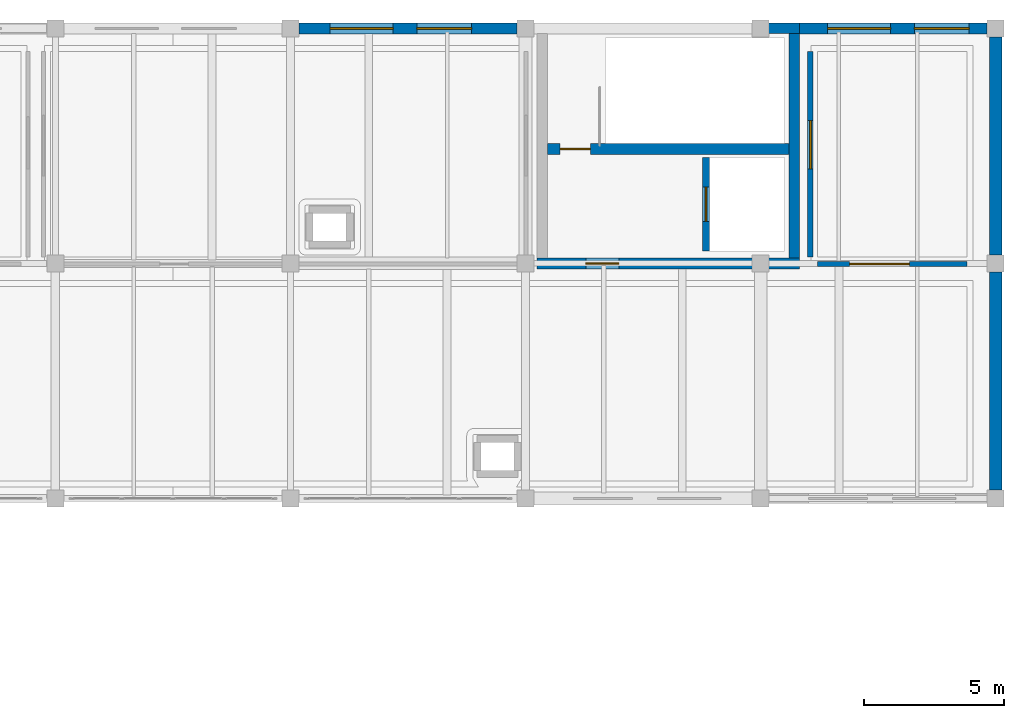
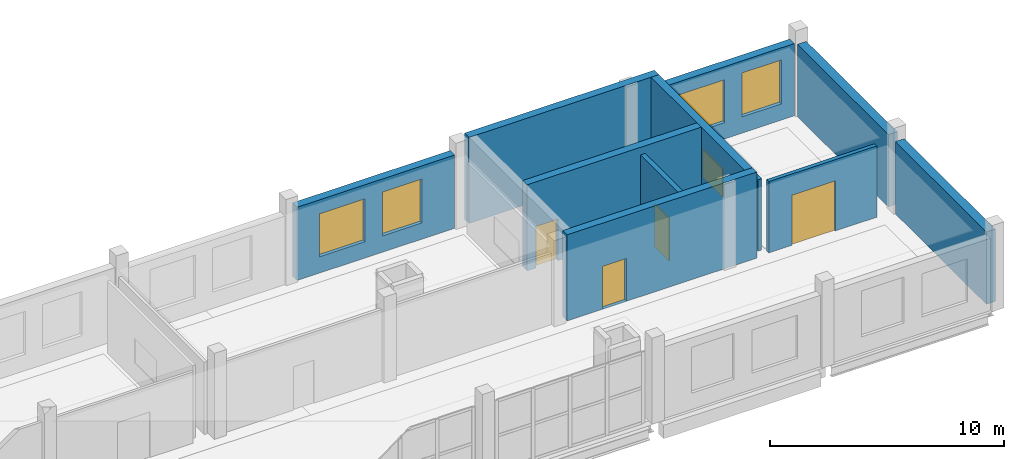
# One storey, part 52 of 54: 11 walls, 5 windows, 4 doors, 9 openings.
"""IFC4 building model written with IfcOpenShell, lengths in metres."""

from ifc_helpers import new_model, si_unit, direction, frame, frame_2d, origin, place, context, subcontext, project, spatial, rectangle, extrude, material, layer, layer_set, type_object, element, fill, save


model = new_model("IFC4")

# Units and contexts
model_context = context("Model", 3, precision=1e-05, world=origin(), true_north=direction((0.0, 1.0)))
body_context = subcontext(model_context, "Body", "Model", "MODEL_VIEW")
ifc_project = project(units=[si_unit("LENGTHUNIT", "METRE"), si_unit("AREAUNIT", "SQUARE_METRE"), si_unit("VOLUMEUNIT", "CUBIC_METRE"), si_unit("PLANEANGLEUNIT", "RADIAN"), si_unit("MASSUNIT", "GRAM", prefix="KILO")], contexts=[model_context])

# Site, building, storey
site_placement = place(None, origin())
site = spatial("IfcSite", under=ifc_project, at=site_placement, CompositionType="ELEMENT")
building_placement = place(site_placement, origin())
building = spatial("IfcBuilding", under=site, at=building_placement, Name="Zulmaris Art Gallery", CompositionType="ELEMENT")
storey_placement = place(building_placement, frame((0.0, 0.0, 26.39990234375)))
storey = spatial("IfcBuildingStorey", under=building, at=storey_placement, Name="L05", CompositionType="ELEMENT", Elevation=26.39990234375)

# Walls
ifc_material_1 = material(Name="Omani Cream Limestone Ashlar Masonry", Category="masonry")
ifc_layer_1 = layer(ifc_material_1, 0.43994140625)
ifc_layer_set_1 = layer_set([ifc_layer_1], Name="Omani Cream Limestone Ashlar Masonry")
wall_type_1 = type_object("IfcWallType", Name="ENV-WALL-EW01", PredefinedType="SOLIDWALL", material=ifc_layer_set_1)
wall_1_placement = place(storey_placement, frame((200.39990234375, 59.10205078125, 0.0), z_axis=(0.0, 0.0, 1.0), x_axis=(0.0, 1.0, 0.0)))
element("IfcWall", 1, at=wall_1_placement, inside=storey, type_object=wall_type_1, Name="L05 V5 East Infill Party Wall", PredefinedType="SOLIDWALL", context=body_context, shape_type="SweptSolid", body=[
    extrude(rectangle(XDim=7.7958984375, YDim=0.43994140625, at=frame_2d((3.89794921875, 0.0))), origin(), (0.0, 0.0, 1.0), 3.780029296875),
])
wall_2_placement = place(storey_placement, frame((200.39990234375, 67.501953125, 0.0), z_axis=(0.0, 0.0, 1.0), x_axis=(0.0, 1.0, 0.0)))
element("IfcWall", 2, at=wall_2_placement, inside=storey, type_object=wall_type_1, Name="L05 V5 East Infill Party Wall", PredefinedType="SOLIDWALL", context=body_context, shape_type="SweptSolid", body=[
    extrude(rectangle(XDim=7.796142578125, YDim=0.43994140625, at=frame_2d((3.89794921875, 0.0))), origin(), (0.0, 0.0, 1.0), 3.780029296875),
])

# Wall, openings, windows
ifc_material_2 = material(Name="Omani Desert Rose Limestone Cladding Wall", Category="masonry")
ifc_layer_2 = layer(ifc_material_2, 0.389892578125)
ifc_layer_set_2 = layer_set([ifc_layer_2], Name="Omani Desert Rose Limestone Cladding Wall")
wall_type_2 = type_object("IfcWallType", Name="ENV-WALL-EW02", PredefinedType="SOLIDWALL", material=ifc_layer_set_2)
wall_3_placement = place(storey_placement, frame((175.501953125, 75.60009765625, 0.0), z_axis=(0.0, 0.0, 1.0), x_axis=(1.0, 0.0, 0.0)))
wall_3 = element("IfcWall", 3, at=wall_3_placement, inside=storey, type_object=wall_type_2, Name="L05 V5 North Studio Daylight Facade Bay 5", PredefinedType="SOLIDWALL", context=body_context, shape_type="SweptSolid", body=[
    extrude(rectangle(XDim=7.796142578125, YDim=0.389892578125, at=frame_2d((3.89794921875, 0.0))), origin(), (0.0, 0.0, 1.0), 3.830078125),
])
opening_1_placement = place(wall_3_placement, frame((1.117919921875, 0.0, 0.85009765625)))
opening_1 = element("IfcOpeningElement", 4, at=opening_1_placement, cuts=wall_3, Name="Opening W09", PredefinedType="OPENING", context=body_context, shape_type="SweptSolid", body=[
    extrude(rectangle(XDim=2.25, YDim=2.25, at=frame_2d((1.125, 1.125))), frame((0.0, 0.204833984375, 0.0), z_axis=(0.0, -1.0, 0.0), x_axis=(1.0, 0.0, 0.0)), (0.0, 0.0, 1.0), 0.409912109375),
])
opening_2_placement = place(wall_3_placement, frame((4.218017578125, 0.0, 0.85009765625)))
opening_2 = element("IfcOpeningElement", 5, at=opening_2_placement, cuts=wall_3, Name="Opening W08", PredefinedType="OPENING", context=body_context, shape_type="SweptSolid", body=[
    extrude(rectangle(XDim=1.949951171875, YDim=2.300048828125, at=frame_2d((0.97509765625, 1.14990234375))), frame((0.0, 0.204833984375, 0.0), z_axis=(0.0, -1.0, 0.0), x_axis=(1.0, 0.0, 0.0)), (0.0, 0.0, 1.0), 0.409912109375),
])
ifc_material_3 = material(Name="Curatorial North Studio Window", Category="glass")
window_type_1 = type_object("IfcWindowType", Name="WIN-W08", PartitioningType="SINGLE_PANEL", PredefinedType="WINDOW", material=ifc_material_3)
window_1_placement = place(opening_2_placement, origin())
window_1 = element("IfcWindow", 6, at=window_1_placement, inside=storey, type_object=window_type_1, Name="L05 exterior window W08", OverallHeight=2.300048828125, OverallWidth=1.949951171875, PartitioningType="SINGLE_PANEL", PredefinedType="WINDOW", context=body_context, shape_type="SweptSolid", body=[
    extrude(rectangle(XDim=1.949951171875, YDim=2.300048828125, at=frame_2d((0.97509765625, 1.14990234375))), frame((0.0, 0.030029296875, 0.0), z_axis=(0.0, -1.0, 0.0), x_axis=(1.0, 0.0, 0.0)), (0.0, 0.0, 1.0), 0.06005859375),
])
fill(opening_2, window_1)
ifc_material_4 = material(Name="Fellowship Library Daylight Window", Category="glass")
window_type_2 = type_object("IfcWindowType", Name="WIN-W09", PartitioningType="SINGLE_PANEL", PredefinedType="WINDOW", material=ifc_material_4)
window_2_placement = place(opening_1_placement, origin())
window_2 = element("IfcWindow", 7, at=window_2_placement, inside=storey, type_object=window_type_2, Name="L05 exterior window W09", OverallHeight=2.25, OverallWidth=2.25, PartitioningType="SINGLE_PANEL", PredefinedType="WINDOW", context=body_context, shape_type="SweptSolid", body=[
    extrude(rectangle(XDim=2.25, YDim=2.25, at=frame_2d((1.125, 1.125))), frame((0.0, 0.030029296875, 0.0), z_axis=(0.0, -1.0, 0.0), x_axis=(1.0, 0.0, 0.0)), (0.0, 0.0, 1.0), 0.06005859375),
])
fill(opening_1, window_2)

wall_4_placement = place(storey_placement, frame((193.39208984375, 75.60009765625, 0.0), z_axis=(0.0, 0.0, 1.0), x_axis=(1.0, 0.0, 0.0)))
wall_4 = element("IfcWall", 8, at=wall_4_placement, inside=storey, type_object=wall_type_2, Name="L05 V5 North Studio Daylight Facade Bay 7", PredefinedType="SOLIDWALL", context=body_context, shape_type="SweptSolid", body=[
    extrude(rectangle(XDim=6.705810546875, YDim=0.389892578125, at=frame_2d((3.35302734375, 0.0))), origin(), (0.0, 0.0, 1.0), 3.780029296875),
])
opening_3_placement = place(wall_4_placement, frame((1.008056640625, 0.0, 0.85009765625)))
opening_3 = element("IfcOpeningElement", 9, at=opening_3_placement, cuts=wall_4, Name="Opening W09", PredefinedType="OPENING", context=body_context, shape_type="SweptSolid", body=[
    extrude(rectangle(XDim=2.25, YDim=2.25, at=frame_2d((1.125, 1.125))), frame((0.0, 0.204833984375, 0.0), z_axis=(0.0, -1.0, 0.0), x_axis=(1.0, 0.0, 0.0)), (0.0, 0.0, 1.0), 0.409912109375),
])
opening_4_placement = place(wall_4_placement, frame((4.10791015625, 0.0, 0.85009765625)))
opening_4 = element("IfcOpeningElement", 10, at=opening_4_placement, cuts=wall_4, Name="Opening W08", PredefinedType="OPENING", context=body_context, shape_type="SweptSolid", body=[
    extrude(rectangle(XDim=1.949951171875, YDim=2.300048828125, at=frame_2d((0.97509765625, 1.14990234375))), frame((0.0, 0.204833984375, 0.0), z_axis=(0.0, -1.0, 0.0), x_axis=(1.0, 0.0, 0.0)), (0.0, 0.0, 1.0), 0.409912109375),
])
window_3_placement = place(opening_4_placement, origin())
window_3 = element("IfcWindow", 11, at=window_3_placement, inside=storey, type_object=window_type_1, Name="L05 exterior window W08", OverallHeight=2.300048828125, OverallWidth=1.949951171875, PartitioningType="SINGLE_PANEL", PredefinedType="WINDOW", context=body_context, shape_type="SweptSolid", body=[
    extrude(rectangle(XDim=1.949951171875, YDim=2.300048828125, at=frame_2d((0.97509765625, 1.14990234375))), frame((0.0, 0.030029296875, 0.0), z_axis=(0.0, -1.0, 0.0), x_axis=(1.0, 0.0, 0.0)), (0.0, 0.0, 1.0), 0.06005859375),
])
fill(opening_4, window_3)
window_4_placement = place(opening_3_placement, origin())
window_4 = element("IfcWindow", 12, at=window_4_placement, inside=storey, type_object=window_type_2, Name="L05 exterior window W09", OverallHeight=2.25, OverallWidth=2.25, PartitioningType="SINGLE_PANEL", PredefinedType="WINDOW", context=body_context, shape_type="SweptSolid", body=[
    extrude(rectangle(XDim=2.25, YDim=2.25, at=frame_2d((1.125, 1.125))), frame((0.0, 0.030029296875, 0.0), z_axis=(0.0, -1.0, 0.0), x_axis=(1.0, 0.0, 0.0)), (0.0, 0.0, 1.0), 0.06005859375),
])
fill(opening_3, window_4)

# Wall, opening, door
ifc_material_5 = material(Name="Conservation Laboratory Partition", Category="masonry")
ifc_layer_3 = layer(ifc_material_5, 0.18994140625)
ifc_layer_set_3 = layer_set([ifc_layer_3], Name="Conservation Laboratory Partition")
wall_type_3 = type_object("IfcWallType", Name="IWALL-PW07", PredefinedType="PARTITIONING", material=ifc_layer_set_3)
wall_5_placement = place(storey_placement, frame((194.030029296875, 67.179931640625, 0.0), z_axis=(0.0, 0.0, 1.0), x_axis=(1.0, 0.0, 0.0)))
wall_5 = element("IfcWall", 13, at=wall_5_placement, inside=storey, type_object=wall_type_3, Name="Artists' Common Kitchen & Dining Room S partition", PredefinedType="PARTITIONING", context=body_context, shape_type="SweptSolid", body=[
    extrude(rectangle(XDim=5.340087890625, YDim=0.18994140625, at=frame_2d((2.669921875, 0.0))), origin(), (0.0, 0.0, 1.0), 3.72998046875),
])
opening_5_placement = place(wall_5_placement, frame((1.14990234375, 0.0, 0.0)))
opening_5 = element("IfcOpeningElement", 14, at=opening_5_placement, cuts=wall_5, Name="Opening D26", PredefinedType="OPENING", context=body_context, shape_type="SweptSolid", body=[
    extrude(rectangle(XDim=2.139892578125, YDim=2.6201171875, at=frame_2d((1.06982421875, 1.31005859375))), frame((0.0, 0.10498046875, 0.0), z_axis=(0.0, -1.0, 0.0), x_axis=(1.0, 0.0, 0.0)), (0.0, 0.0, 1.0), 0.2099609375),
])
ifc_material_6 = material(Name="Cloister Pavilion Portal Door", Category="aluminium")
door_type_1 = type_object("IfcDoorType", Name="IDOOR-D26", OperationType="DOUBLE_SWING_RIGHT", PredefinedType="DOOR", material=ifc_material_6)
door_1_placement = place(opening_5_placement, origin())
door_1 = element("IfcDoor", 15, at=door_1_placement, inside=storey, type_object=door_type_1, Name="Artists' Common Kitchen & Dining Room Door", OperationType="DOUBLE_SWING_RIGHT", OverallHeight=2.6201171875, OverallWidth=2.139892578125, PredefinedType="DOOR", context=body_context, shape_type="SweptSolid", body=[
    extrude(rectangle(XDim=2.139892578125, YDim=2.6201171875, at=frame_2d((1.06982421875, 1.31005859375))), frame((0.0, 0.02490234375, 0.0), z_axis=(0.0, -1.0, 0.0), x_axis=(1.0, 0.0, 0.0)), (0.0, 0.0, 1.0), 0.050048828125),
])
fill(opening_5, door_1)

# Wall, opening, window
wall_6_placement = place(storey_placement, frame((193.780029296875, 67.429931640625, 0.0), z_axis=(0.0, 0.0, 1.0), x_axis=(0.0, 1.0, 0.0)))
wall_6 = element("IfcWall", 16, at=wall_6_placement, inside=storey, type_object=wall_type_3, Name="Artists' Common Kitchen & Dining Room W partition", PredefinedType="PARTITIONING", context=body_context, shape_type="SweptSolid", body=[
    extrude(rectangle(XDim=7.340087890625, YDim=0.18994140625, at=frame_2d((3.669921875, 0.0))), origin(), (0.0, 0.0, 1.0), 3.72998046875),
])
opening_6_placement = place(wall_6_placement, frame((3.14990234375, 0.0, 0.89990234375)))
opening_6 = element("IfcOpeningElement", 17, at=opening_6_placement, cuts=wall_6, Name="Opening IW06", PredefinedType="OPENING", context=body_context, shape_type="SweptSolid", body=[
    extrude(rectangle(XDim=1.719970703125, YDim=1.4599609375, at=frame_2d((0.85986328125, 0.72998046875))), frame((0.0, 0.10498046875, 0.0), z_axis=(0.0, -1.0, 0.0), x_axis=(1.0, 0.0, 0.0)), (0.0, 0.0, 1.0), 0.2099609375),
])
ifc_material_7 = material(Name="Library Reading Room Internal Glazing", Category="glass")
window_type_3 = type_object("IfcWindowType", Name="IWIN-IW06", PartitioningType="SINGLE_PANEL", PredefinedType="WINDOW", material=ifc_material_7)
window_5_placement = place(opening_6_placement, origin())
window_5 = element("IfcWindow", 18, at=window_5_placement, inside=storey, type_object=window_type_3, Name="L05 interior observation window IW06", OverallHeight=1.4599609375, OverallWidth=1.719970703125, PartitioningType="SINGLE_PANEL", PredefinedType="WINDOW", context=body_context, shape_type="SweptSolid", body=[
    extrude(rectangle(XDim=1.719970703125, YDim=1.4599609375, at=frame_2d((0.85986328125, 0.72998046875))), frame((0.0, 0.030029296875, 0.0), z_axis=(0.0, -1.0, 0.0), x_axis=(1.0, 0.0, 0.0)), (0.0, 0.0, 1.0), 0.06005859375),
])
fill(opening_6, window_5)

# Wall, opening, door
ifc_material_8 = material(Name="Core Lobby Fire-Resisting Masonry Wall", Category="masonry")
ifc_layer_4 = layer(ifc_material_8, 0.235107421875)
ifc_layer_set_4 = layer_set([ifc_layer_4], Name="Core Lobby Fire-Resisting Masonry Wall")
wall_type_4 = type_object("IfcWallType", Name="IWALL-PW10", PredefinedType="PARTITIONING", material=ifc_layer_set_4)
wall_7_placement = place(storey_placement, frame((190.050048828125, 67.64990234375, 0.0), z_axis=(0.0, 0.0, 1.0), x_axis=(0.0, 1.0, 0.0)))
wall_7 = element("IfcWall", 19, at=wall_7_placement, inside=storey, type_object=wall_type_4, Name="LF-F1 L05 lift shaft front wall", PredefinedType="PARTITIONING", context=body_context, shape_type="SweptSolid", body=[
    extrude(rectangle(XDim=3.330078125, YDim=0.235107421875, at=frame_2d((1.6650390625, 0.0))), origin(), (0.0, 0.0, 1.0), 4.2001953125),
])
opening_7_placement = place(wall_7_placement, frame((1.054931640625, 0.0, 0.0)))
opening_7 = element("IfcOpeningElement", 20, at=opening_7_placement, cuts=wall_7, Name="Opening LD02", PredefinedType="OPENING", context=body_context, shape_type="SweptSolid", body=[
    extrude(rectangle(XDim=1.219970703125, YDim=2.239990234375, at=frame_2d((0.60986328125, 1.1201171875))), frame((0.0, 0.12744140625, 0.0), z_axis=(0.0, -1.0, 0.0), x_axis=(1.0, 0.0, 0.0)), (0.0, 0.0, 1.0), 0.255126953125),
])
ifc_material_9 = material(Name="Firefighting Lift Sliding Landing Door", Category="steel")
door_type_2 = type_object("IfcDoorType", Name="IDOOR-LD02", OperationType="SLIDING_TO_RIGHT", PredefinedType="DOOR", material=ifc_material_9)
door_2_placement = place(opening_7_placement, origin())
door_2 = element("IfcDoor", 21, at=door_2_placement, inside=storey, type_object=door_type_2, Name="LF-F1 L05 Lift Landing Sliding Door", OperationType="SLIDING_TO_RIGHT", OverallHeight=2.239990234375, OverallWidth=1.219970703125, PredefinedType="DOOR", context=body_context, shape_type="SweptSolid", body=[
    extrude(rectangle(XDim=1.219970703125, YDim=2.239990234375, at=frame_2d((0.60986328125, 1.1201171875))), frame((0.0, 0.02490234375, 0.0), z_axis=(0.0, -1.0, 0.0), x_axis=(1.0, 0.0, 0.0)), (0.0, 0.0, 1.0), 0.050048828125),
])
fill(opening_7, door_2)

ifc_material_10 = material(Name="Concrete C50/60", Category="concrete")
ifc_layer_5 = layer(ifc_material_10, 0.3798828125)
ifc_layer_set_5 = layer_set([ifc_layer_5], Name="Concrete C50/60")
wall_type_5 = type_object("IfcWallType", Name="STR-WALL-SW02", PredefinedType="SHEAR", material=ifc_layer_set_5)
wall_8_placement = place(storey_placement, frame((184.010009765625, 67.199951171875, 0.0), z_axis=(0.0, 0.0, 1.0), x_axis=(1.0, 0.0, 0.0)))
wall_8 = element("IfcWall", 22, at=wall_8_placement, inside=storey, type_object=wall_type_5, Name="Core C4 L05 S shear wall", PredefinedType="SHEAR", context=body_context, shape_type="SweptSolid", body=[
    extrude(rectangle(XDim=9.3798828125, YDim=0.3798828125, at=frame_2d((4.68994140625, 0.0))), origin(), (0.0, 0.0, 1.0), 4.5),
])
opening_8_placement = place(wall_8_placement, frame((1.75, 0.0, 0.0)))
opening_8 = element("IfcOpeningElement", 23, at=opening_8_placement, cuts=wall_8, Name="Opening D08", PredefinedType="OPENING", context=body_context, shape_type="SweptSolid", body=[
    extrude(rectangle(XDim=1.179931640625, YDim=2.239990234375, at=frame_2d((0.58984375, 1.1201171875))), frame((0.0, 0.199951171875, 0.0), z_axis=(0.0, -1.0, 0.0), x_axis=(1.0, 0.0, 0.0)), (0.0, 0.0, 1.0), 0.39990234375),
])
ifc_material_11 = material(Name="Firefighting Lobby Compartment Door", Category="steel")
door_type_3 = type_object("IfcDoorType", Name="IDOOR-D08", OperationType="NOTDEFINED", PredefinedType="DOOR", material=ifc_material_11)
door_3_placement = place(opening_8_placement, origin())
door_3 = element("IfcDoor", 24, at=door_3_placement, inside=storey, type_object=door_type_3, Name="Core C4 L05 Lobby Compartment Door", OperationType="SINGLE_SWING_RIGHT", OverallHeight=2.239990234375, OverallWidth=1.179931640625, PredefinedType="DOOR", context=body_context, shape_type="SweptSolid", body=[
    extrude(rectangle(XDim=1.179931640625, YDim=2.239990234375, at=frame_2d((0.58984375, 1.1201171875))), frame((0.0, 0.02490234375, 0.0), z_axis=(0.0, -1.0, 0.0), x_axis=(1.0, 0.0, 0.0)), (0.0, 0.0, 1.0), 0.050048828125),
])
fill(opening_8, door_3)

# Walls
wall_9_placement = place(storey_placement, frame((184.010009765625, 75.60009765625, 0.0), z_axis=(0.0, 0.0, 1.0), x_axis=(1.0, 0.0, 0.0)))
element("IfcWall", 25, at=wall_9_placement, inside=storey, type_object=wall_type_5, Name="Core C4 L05 N shear wall", PredefinedType="SHEAR", context=body_context, shape_type="SweptSolid", body=[
    extrude(rectangle(XDim=9.3798828125, YDim=0.3798828125, at=frame_2d((4.68994140625, 0.0))), origin(), (0.0, 0.0, 1.0), 4.5),
])
wall_10_placement = place(storey_placement, frame((193.199951171875, 67.389892578125, 0.0), z_axis=(0.0, 0.0, 1.0), x_axis=(0.0, 1.0, 0.0)))
element("IfcWall", 26, at=wall_10_placement, inside=storey, type_object=wall_type_5, Name="Core C4 L05 E shear wall", PredefinedType="SHEAR", context=body_context, shape_type="SweptSolid", body=[
    extrude(rectangle(XDim=8.02001953125, YDim=0.3798828125, at=frame_2d((4.010009765625, 0.0))), origin(), (0.0, 0.0, 1.0), 4.5),
])

# Wall, opening, door
wall_11_placement = place(storey_placement, frame((184.389892578125, 71.2900390625, 0.0), z_axis=(0.0, 0.0, 1.0), x_axis=(1.0, 0.0, 0.0)))
wall_11 = element("IfcWall", 27, at=wall_11_placement, inside=storey, type_object=wall_type_5, Name="Core C4 L05 DIV shear wall", PredefinedType="SHEAR", context=body_context, shape_type="SweptSolid", body=[
    extrude(rectangle(XDim=8.6201171875, YDim=0.3798828125, at=frame_2d((4.31005859375, 0.0))), origin(), (0.0, 0.0, 1.0), 4.5),
])
opening_9_placement = place(wall_11_placement, frame((0.449951171875, 0.0, 0.0)))
opening_9 = element("IfcOpeningElement", 28, at=opening_9_placement, cuts=wall_11, Name="Opening D07", PredefinedType="OPENING", context=body_context, shape_type="SweptSolid", body=[
    extrude(rectangle(XDim=1.080078125, YDim=2.179931640625, at=frame_2d((0.5400390625, 1.08984375))), frame((0.0, 0.199951171875, 0.0), z_axis=(0.0, -1.0, 0.0), x_axis=(1.0, 0.0, 0.0)), (0.0, 0.0, 1.0), 0.39990234375),
])
ifc_material_12 = material(Name="Stairwell Fire Escape Door", Category="steel")
door_type_4 = type_object("IfcDoorType", Name="IDOOR-D07", OperationType="NOTDEFINED", PredefinedType="DOOR", material=ifc_material_12)
door_4_placement = place(opening_9_placement, origin())
door_4 = element("IfcDoor", 29, at=door_4_placement, inside=storey, type_object=door_type_4, Name="Core C4 L05 Stair ST4 Fire Door", OperationType="SINGLE_SWING_LEFT", OverallHeight=2.179931640625, OverallWidth=1.080078125, PredefinedType="DOOR", context=body_context, shape_type="SweptSolid", body=[
    extrude(rectangle(XDim=1.080078125, YDim=2.179931640625, at=frame_2d((0.5400390625, 1.08984375))), frame((0.0, 0.02490234375, 0.0), z_axis=(0.0, -1.0, 0.0), x_axis=(1.0, 0.0, 0.0)), (0.0, 0.0, 1.0), 0.050048828125),
])
fill(opening_9, door_4)

save(model, "model.ifc")
